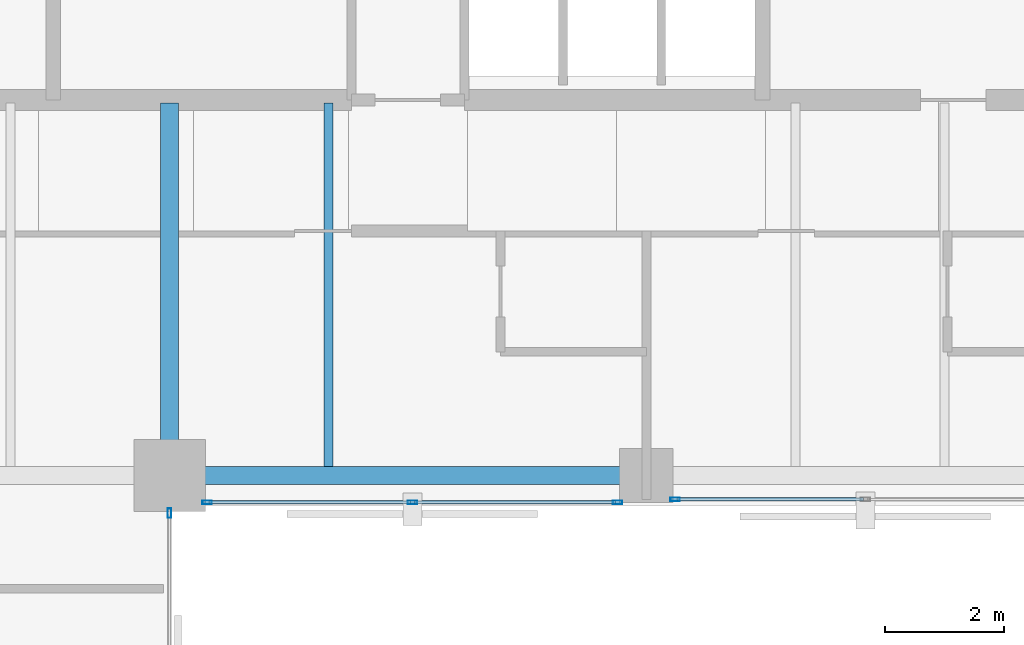
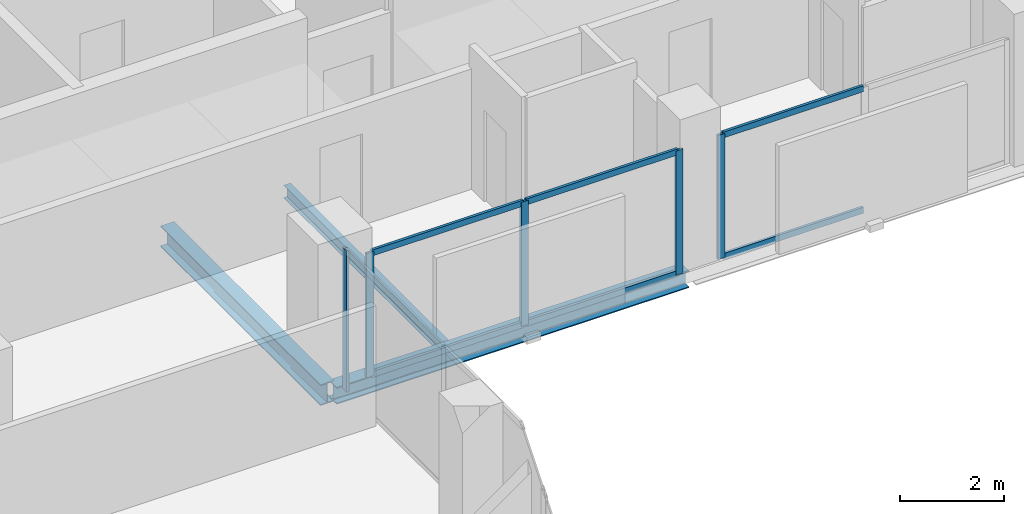
# One storey, part 13 of 34: 11 members, 3 beams, 3 elements without a shape of their own.
"""IFC4 building model written with IfcOpenShell, lengths in metres."""

from ifc_helpers import new_model, si_unit, direction, frame, origin, origin_2d, place, context, subcontext, project, spatial, hollow_rectangle, i_section, extrude, material, layer, layer_set, material_profile, profile_set, type_object, element, aggregate, save


model = new_model("IFC4")

# Units and contexts
model_context = context("Model", 3, precision=1e-05, world=origin(), true_north=direction((0.0, 1.0)))
body_context = subcontext(model_context, "Body", "Model", "MODEL_VIEW")
ifc_project = project(units=[si_unit("LENGTHUNIT", "METRE"), si_unit("AREAUNIT", "SQUARE_METRE"), si_unit("VOLUMEUNIT", "CUBIC_METRE"), si_unit("PLANEANGLEUNIT", "RADIAN"), si_unit("MASSUNIT", "GRAM", prefix="KILO")], contexts=[model_context])

# Site, building, storey
site_placement = place(None, origin())
site = spatial("IfcSite", under=ifc_project, at=site_placement, CompositionType="ELEMENT")
building_placement = place(site_placement, origin())
building = spatial("IfcBuilding", under=site, at=building_placement, Name="Catumbela Crestline Tower", CompositionType="ELEMENT")
storey_placement = place(building_placement, frame((0.0, 0.0, 97.2)))
storey = spatial("IfcBuildingStorey", under=building, at=storey_placement, Name="L24", CompositionType="ELEMENT", Elevation=97.2)

# Beams
ifc_material_1 = material(Name="Structural steel S355J2", Category="steel")
ifc_material_profile_1 = material_profile(ifc_material_1, i_section(OverallWidth=0.3, OverallDepth=0.49, WebThickness=0.012, FlangeThickness=0.023, FilletRadius=0.027, at=origin_2d()), Name="HEA 500")
ifc_profile_set_1 = profile_set([ifc_material_profile_1], Name="Structural steel S355J2")
beam_type_1 = type_object("IfcBeamType", Name="BG-HEA500", PredefinedType="BEAM", material=ifc_profile_set_1)
beam_1_placement = place(storey_placement, frame((24.0, 24.58, -0.505), z_axis=(0.0, 1.0, 0.0), x_axis=(-1.0, 0.0, 0.0)))
element("IfcBeam", 1, at=beam_1_placement, inside=storey, type_object=beam_type_1, Name="L24 Beam BM-L24-SNS29", PredefinedType="BEAM", context=body_context, shape_type="SweptSolid", body=[
    extrude(i_section(OverallWidth=0.3, OverallDepth=0.49, WebThickness=0.012, FlangeThickness=0.023, FilletRadius=0.027, at=origin_2d()), origin(), (0.0, 0.0, 1.0), 6.17),
])
ifc_material_profile_2 = material_profile(ifc_material_1, i_section(OverallWidth=0.15, OverallDepth=0.3, WebThickness=0.0071, FlangeThickness=0.0107, FilletRadius=0.015, at=origin_2d()), Name="IPE 300")
ifc_profile_set_2 = profile_set([ifc_material_profile_2], Name="Structural steel S355J2")
beam_type_2 = type_object("IfcBeamType", Name="BJ-IPE300", PredefinedType="JOIST", material=ifc_profile_set_2)
beam_2_placement = place(storey_placement, frame((26.667, 24.647, -0.41), z_axis=(0.0, 1.0, 0.0), x_axis=(-1.0, 0.0, 0.0)))
element("IfcBeam", 2, at=beam_2_placement, inside=storey, type_object=beam_type_2, Name="L24 Joist JS-L24-SP39", PredefinedType="JOIST", context=body_context, shape_type="SweptSolid", body=[
    extrude(i_section(OverallWidth=0.15, OverallDepth=0.3, WebThickness=0.0071, FlangeThickness=0.0107, FilletRadius=0.015, at=origin_2d()), origin(), (0.0, 0.0, 1.0), 6.103),
])

# Curtain wall, member
ifc_material_2 = material(Name="Aluminium alloy AW-6060-T66", Category="aluminium")
ifc_layer = layer(ifc_material_2, 0.18, Name="Aluminium alloy AW-6060-T66")
ifc_layer_set = layer_set([ifc_layer], Name="Aluminium alloy AW-6060-T66")
curtain_wall_type = type_object("IfcCurtainWallType", Name="CWU-Z2", PredefinedType="USERDEFINED", material=ifc_layer_set)
curtain_wall_1_placement = place(storey_placement, origin())
curtain_wall_1 = element("IfcCurtainWall", 3, at=curtain_wall_1_placement, inside=storey, type_object=curtain_wall_type, Name="L24 Unitised Curtain Wall CW-L24-E2S1", ObjectType="UNITISED", PredefinedType="USERDEFINED")
ifc_material_profile_3 = material_profile(ifc_material_2, hollow_rectangle(XDim=0.06, YDim=0.16, WallThickness=0.004, at=origin_2d()), Name="ALU 160x60x4")
ifc_profile_set_3 = profile_set([ifc_material_profile_3], Name="Aluminium alloy AW-6060-T66")
member_type_1 = type_object("IfcMemberType", Name="MUL-160X60", PredefinedType="MULLION", material=ifc_profile_set_3)
member_1_placement = place(storey_placement, frame((24.0, 23.8675, 0.0), z_axis=(0.0, 0.0, 1.0), x_axis=(-1.0, 0.0, 0.0)))
member_1 = element("IfcMember", 4, at=member_1_placement, type_object=member_type_1, Name="CWU-Z2 mullion 5", PredefinedType="MULLION", context=body_context, shape_type="SweptSolid", body=[
    extrude(hollow_rectangle(XDim=0.06, YDim=0.16, WallThickness=0.004, at=origin_2d()), origin(), (0.0, 0.0, 1.0), 3.33),
])
aggregate(curtain_wall_1, [member_1])

# Curtain wall, members
curtain_wall_2_placement = place(storey_placement, origin())
curtain_wall_2 = element("IfcCurtainWall", 5, at=curtain_wall_2_placement, inside=storey, type_object=curtain_wall_type, Name="L24 Unitised Curtain Wall CW-L24-E3S1", ObjectType="UNITISED", PredefinedType="USERDEFINED")
member_2_placement = place(storey_placement, frame((24.6325, 24.05, 0.0), z_axis=(0.0, 0.0, 1.0), x_axis=(0.0, 1.0, 0.0)))
member_2 = element("IfcMember", 6, at=member_2_placement, type_object=member_type_1, Name="CWU-Z2 mullion 1", PredefinedType="MULLION", context=body_context, shape_type="SweptSolid", body=[
    extrude(hollow_rectangle(XDim=0.06, YDim=0.16, WallThickness=0.004, at=origin_2d()), origin(), (0.0, 0.0, 1.0), 2.92),
])
member_3_placement = place(storey_placement, frame((28.075, 24.05, 0.0), z_axis=(0.0, 0.0, 1.0), x_axis=(0.0, 1.0, 0.0)))
member_3 = element("IfcMember", 7, at=member_3_placement, type_object=member_type_1, Name="CWU-Z2 mullion 2", PredefinedType="MULLION", context=body_context, shape_type="SweptSolid", body=[
    extrude(hollow_rectangle(XDim=0.06, YDim=0.16, WallThickness=0.004, at=origin_2d()), origin(), (0.0, 0.0, 1.0), 2.92),
])
member_4_placement = place(storey_placement, frame((31.5175, 24.05, 0.0), z_axis=(0.0, 0.0, 1.0), x_axis=(0.0, 1.0, 0.0)))
member_4 = element("IfcMember", 8, at=member_4_placement, type_object=member_type_1, Name="CWU-Z2 mullion 3", PredefinedType="MULLION", context=body_context, shape_type="SweptSolid", body=[
    extrude(hollow_rectangle(XDim=0.06, YDim=0.16, WallThickness=0.004, at=origin_2d()), origin(), (0.0, 0.0, 1.0), 2.92),
])

# Curtain wall, member
curtain_wall_3_placement = place(storey_placement, origin())
curtain_wall_3 = element("IfcCurtainWall", 9, at=curtain_wall_3_placement, inside=storey, type_object=curtain_wall_type, Name="L24 Unitised Curtain Wall CW-L24-E3S2", ObjectType="UNITISED", PredefinedType="USERDEFINED")
member_5_placement = place(storey_placement, frame((32.4825, 24.1, 0.0), z_axis=(0.0, 0.0, 1.0), x_axis=(0.0, 1.0, 0.0)))
member_5 = element("IfcMember", 10, at=member_5_placement, type_object=member_type_1, Name="CWU-Z2 mullion 1", PredefinedType="MULLION", context=body_context, shape_type="SweptSolid", body=[
    extrude(hollow_rectangle(XDim=0.06, YDim=0.16, WallThickness=0.004, at=origin_2d()), origin(), (0.0, 0.0, 1.0), 2.92),
])

# Beam
ifc_material_profile_4 = material_profile(ifc_material_1, i_section(OverallWidth=0.3, OverallDepth=0.4, WebThickness=0.0135, FlangeThickness=0.024, FilletRadius=0.027, at=origin_2d()), Name="HEB 400")
ifc_profile_set_4 = profile_set([ifc_material_profile_4], Name="Structural steel S355J2")
beam_type_3 = type_object("IfcBeamType", Name="BS-HEB400", PredefinedType="SPANDREL", material=ifc_profile_set_4)
beam_3_placement = place(storey_placement, frame((24.08, 24.5, -0.46), z_axis=(1.0, 0.0, 0.0), x_axis=(0.0, 1.0, 0.0)))
element("IfcBeam", 11, at=beam_3_placement, inside=storey, type_object=beam_type_3, Name="L24 Spandrel SP-L24-S05", PredefinedType="SPANDREL", context=body_context, shape_type="SweptSolid", body=[
    extrude(i_section(OverallWidth=0.3, OverallDepth=0.4, WebThickness=0.0135, FlangeThickness=0.024, FilletRadius=0.027, at=origin_2d()), origin(), (0.0, 0.0, 1.0), 7.84),
])

# Member
ifc_material_profile_5 = material_profile(ifc_material_2, hollow_rectangle(XDim=0.06, YDim=0.14, WallThickness=0.004, at=origin_2d()), Name="ALU 140x60x4")
ifc_profile_set_5 = profile_set([ifc_material_profile_5], Name="Aluminium alloy AW-6060-T66")
member_type_2 = type_object("IfcMemberType", Name="TRN-140X60", PredefinedType="USERDEFINED", material=ifc_profile_set_5)
member_6_placement = place(storey_placement, frame((24.665, 24.05, 0.03), z_axis=(1.0, 0.0, 0.0), x_axis=(0.0, 1.0, 0.0)))
member_6 = element("IfcMember", 12, at=member_6_placement, type_object=member_type_2, Name="CWU-Z2 transom 1.1", ObjectType="TRANSOM", PredefinedType="USERDEFINED", context=body_context, shape_type="SweptSolid", body=[
    extrude(hollow_rectangle(XDim=0.06, YDim=0.14, WallThickness=0.004, at=origin_2d()), origin(), (0.0, 0.0, 1.0), 3.3775),
])

member_7_placement = place(storey_placement, frame((24.665, 24.05, 2.89), z_axis=(1.0, 0.0, 0.0), x_axis=(0.0, 1.0, 0.0)))
member_7 = element("IfcMember", 13, at=member_7_placement, type_object=member_type_2, Name="CWU-Z2 transom 1.2", ObjectType="TRANSOM", PredefinedType="USERDEFINED", context=body_context, shape_type="SweptSolid", body=[
    extrude(hollow_rectangle(XDim=0.06, YDim=0.14, WallThickness=0.004, at=origin_2d()), origin(), (0.0, 0.0, 1.0), 3.3775),
])

member_8_placement = place(storey_placement, frame((28.1075, 24.05, 0.03), z_axis=(1.0, 0.0, 0.0), x_axis=(0.0, 1.0, 0.0)))
member_8 = element("IfcMember", 14, at=member_8_placement, type_object=member_type_2, Name="CWU-Z2 transom 2.1", ObjectType="TRANSOM", PredefinedType="USERDEFINED", context=body_context, shape_type="SweptSolid", body=[
    extrude(hollow_rectangle(XDim=0.06, YDim=0.14, WallThickness=0.004, at=origin_2d()), origin(), (0.0, 0.0, 1.0), 3.3775),
])

member_9_placement = place(storey_placement, frame((28.1075, 24.05, 2.89), z_axis=(1.0, 0.0, 0.0), x_axis=(0.0, 1.0, 0.0)))
member_9 = element("IfcMember", 15, at=member_9_placement, type_object=member_type_2, Name="CWU-Z2 transom 2.2", ObjectType="TRANSOM", PredefinedType="USERDEFINED", context=body_context, shape_type="SweptSolid", body=[
    extrude(hollow_rectangle(XDim=0.06, YDim=0.14, WallThickness=0.004, at=origin_2d()), origin(), (0.0, 0.0, 1.0), 3.3775),
])

aggregate(curtain_wall_2, [member_2, member_3, member_4, member_6, member_7, member_8, member_9])

member_10_placement = place(storey_placement, frame((32.515, 24.1, 0.03), z_axis=(1.0, 0.0, 0.0), x_axis=(0.0, 1.0, 0.0)))
member_10 = element("IfcMember", 16, at=member_10_placement, type_object=member_type_2, Name="CWU-Z2 transom 1.1", ObjectType="TRANSOM", PredefinedType="USERDEFINED", context=body_context, shape_type="SweptSolid", body=[
    extrude(hollow_rectangle(XDim=0.06, YDim=0.14, WallThickness=0.004, at=origin_2d()), origin(), (0.0, 0.0, 1.0), 3.1275),
])

member_11_placement = place(storey_placement, frame((32.515, 24.1, 2.89), z_axis=(1.0, 0.0, 0.0), x_axis=(0.0, 1.0, 0.0)))
member_11 = element("IfcMember", 17, at=member_11_placement, type_object=member_type_2, Name="CWU-Z2 transom 1.2", ObjectType="TRANSOM", PredefinedType="USERDEFINED", context=body_context, shape_type="SweptSolid", body=[
    extrude(hollow_rectangle(XDim=0.06, YDim=0.14, WallThickness=0.004, at=origin_2d()), origin(), (0.0, 0.0, 1.0), 3.1275),
])

aggregate(curtain_wall_3, [member_5, member_10, member_11])

save(model, "model.ifc")
